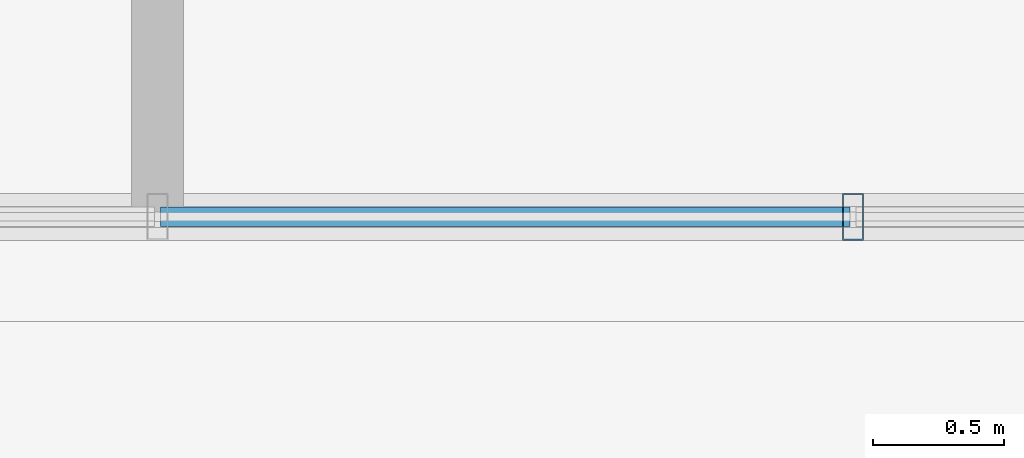
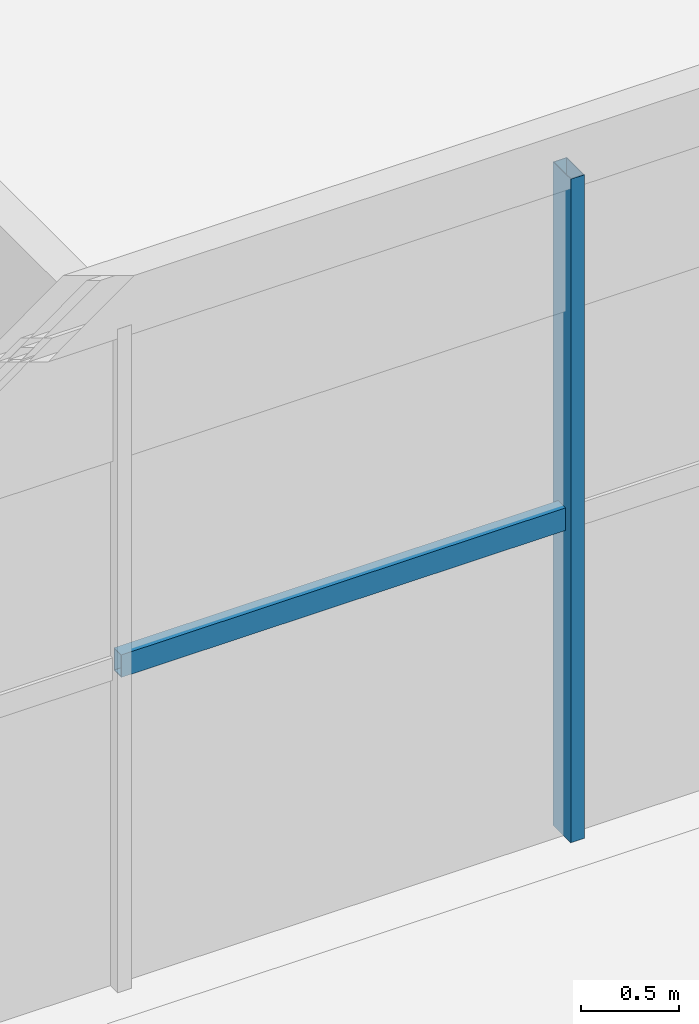
# One storey, part 7 of 38: 2 members, 1 element without a shape of its own.
"""IFC4 building model written with IfcOpenShell, lengths in metres."""

from ifc_helpers import new_model, si_unit, direction, frame, origin, origin_2d, place, context, subcontext, project, spatial, hollow_rectangle, extrude, source, transform, mapped, material, material_profile, profile_set, type_object, element, aggregate, save


model = new_model("IFC4")

# Units and contexts
model_context = context("Model", 3, precision=1e-05, world=origin(), true_north=direction((0.0, 1.0)))
body_context = subcontext(model_context, "Body", "Model", "MODEL_VIEW")
ifc_project = project(units=[si_unit("LENGTHUNIT", "METRE"), si_unit("AREAUNIT", "SQUARE_METRE"), si_unit("VOLUMEUNIT", "CUBIC_METRE"), si_unit("PLANEANGLEUNIT", "RADIAN"), si_unit("MASSUNIT", "GRAM", prefix="KILO")], contexts=[model_context])

# Site, building, storey
site_placement = place(None, origin())
site = spatial("IfcSite", under=ifc_project, at=site_placement, CompositionType="ELEMENT")
building_placement = place(site_placement, origin())
building = spatial("IfcBuilding", under=site, at=building_placement, Name="Trelvane Seafront Commons", CompositionType="ELEMENT")
storey_placement = place(building_placement, frame((0.0, 0.0, 299.10009765625)))
storey = spatial("IfcBuildingStorey", under=building, at=storey_placement, Name="L78", CompositionType="ELEMENT", Elevation=299.10009765625)

# Curtain wall, members
ifc_material = material(Name="Anodised pale-silver aluminium", Category="aluminium")
curtain_wall_type = type_object("IfcCurtainWallType", Name="ARCH-CW6-CROWN", PredefinedType="NOTDEFINED", material=ifc_material)
curtain_wall_placement = place(storey_placement, origin())
curtain_wall = element("IfcCurtainWall", 1, at=curtain_wall_placement, inside=storey, type_object=curtain_wall_type, Name="CW-L78-0127", PredefinedType="NOTDEFINED")
ifc_material_profile_1 = material_profile(ifc_material, hollow_rectangle(XDim=0.080078125, YDim=0.179931640625, WallThickness=0.00439453125, at=origin_2d()), Name="MULL-80x180x4.5")
ifc_profile_set_1 = profile_set([ifc_material_profile_1], Name="Anodised pale-silver aluminium")
member_type_1 = type_object("IfcMemberType", Name="ARCH-CW-MULL-180", PredefinedType="MULLION", material=ifc_profile_set_1)
shared_shape_1 = source(origin(), body_context, "Body", "SweptSolid", [
    extrude(hollow_rectangle(XDim=0.080078125, YDim=0.179931640625, WallThickness=0.00439453125, at=origin_2d()), origin(), (0.0, 0.0, 1.0), 4.119873046875),
])
member_1_placement = place(storey_placement, frame((39.860107421875, 13.60009765625, 0.0), z_axis=(0.0, 0.0, 1.0), x_axis=(1.0, 0.0, 0.0)))
member_1 = element("IfcMember", 2, at=member_1_placement, type_object=member_type_1, Name="CW-L78-0127-M09", PredefinedType="MULLION", context=body_context, shape_type="MappedRepresentation", body=[
    mapped(shared_shape_1, transform((0.0, 0.0, 0.0), x_axis=(1.0, 0.0, 0.0), y_axis=(0.0, 1.0, 0.0), z_axis=(0.0, 0.0, 1.0), scale=1.0)),
])
ifc_material_profile_2 = material_profile(ifc_material, hollow_rectangle(XDim=0.074951171875, YDim=0.139892578125, WallThickness=0.00390625, at=origin_2d()), Name="TRAN-75x140x4")
ifc_profile_set_2 = profile_set([ifc_material_profile_2], Name="Anodised pale-silver aluminium")
member_type_2 = type_object("IfcMemberType", Name="ARCH-CW-TRAN-140", PredefinedType="USERDEFINED", material=ifc_profile_set_2)
shared_shape_2 = source(origin(), body_context, "Body", "SweptSolid", [
    extrude(hollow_rectangle(XDim=0.074951171875, YDim=0.139892578125, WallThickness=0.00390625, at=origin_2d()), origin(), (0.0, 0.0, 1.0), 2.635986328125),
])
member_2_placement = place(storey_placement, frame((39.847900390625, 13.60009765625, 1.977783203125), z_axis=(-1.0, 0.0, 0.0), x_axis=(0.0, -1.0, 0.0)))
member_2 = element("IfcMember", 3, at=member_2_placement, type_object=member_type_2, Name="CW-L78-0127-T09", ObjectType="TRANSOM", PredefinedType="USERDEFINED", context=body_context, shape_type="MappedRepresentation", body=[
    mapped(shared_shape_2, transform((0.0, 0.0, 0.0), x_axis=(1.0, 0.0, 0.0), y_axis=(0.0, 1.0, 0.0), z_axis=(0.0, 0.0, 1.0), scale=1.0)),
])
aggregate(curtain_wall, [member_1, member_2])

save(model, "model.ifc")
